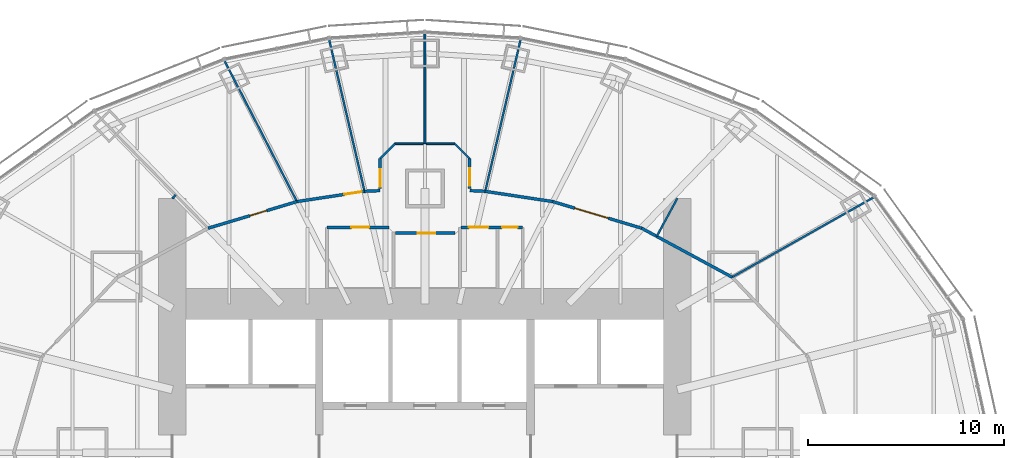
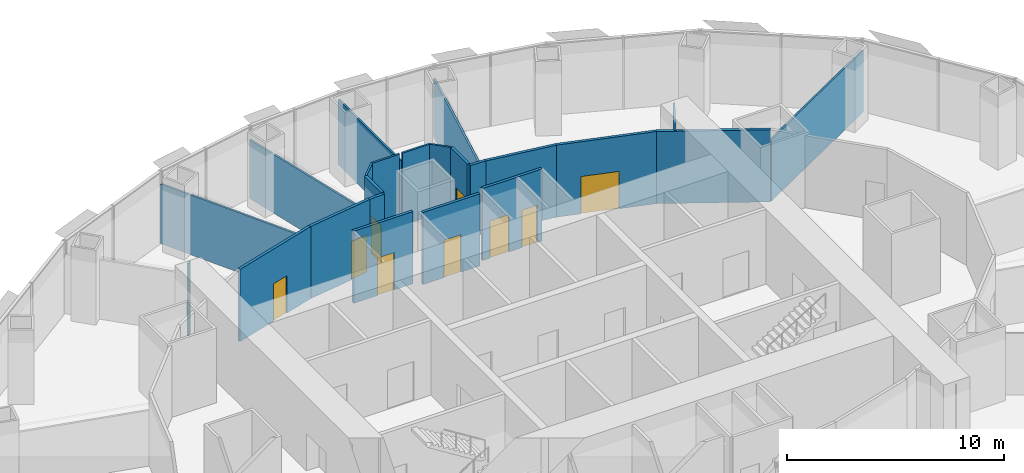
# One storey, part 13 of 18: 23 walls, 9 doors, 9 openings.
"""IFC4 building model written with IfcOpenShell, lengths in metres."""

from ifc_helpers import new_model, si_unit, direction, frame, frame_2d, origin, place, context, subcontext, project, spatial, rectangle, extrude, material, layer, layer_set, type_object, element, fill, save


model = new_model("IFC4")

# Units and contexts
model_context = context("Model", 3, precision=1e-05, world=origin(), true_north=direction((0.0, 1.0)))
body_context = subcontext(model_context, "Body", "Model", "MODEL_VIEW")
ifc_project = project(units=[si_unit("LENGTHUNIT", "METRE"), si_unit("AREAUNIT", "SQUARE_METRE"), si_unit("VOLUMEUNIT", "CUBIC_METRE"), si_unit("PLANEANGLEUNIT", "RADIAN"), si_unit("MASSUNIT", "GRAM", prefix="KILO")], contexts=[model_context])

# Site, building, storey
site_placement = place(None, origin())
site = spatial("IfcSite", under=ifc_project, at=site_placement, CompositionType="ELEMENT")
building_placement = place(site_placement, origin())
building = spatial("IfcBuilding", under=site, at=building_placement, Name="Lantaw Convention Tower", CompositionType="ELEMENT")
storey_placement = place(building_placement, frame((0.0, 0.0, 142.60009765625)))
storey = spatial("IfcBuildingStorey", under=building, at=storey_placement, Name="L33", CompositionType="ELEMENT", Elevation=142.60009765625)

# Wall
ifc_material_1 = material(Name="Gypsum board on steel studs, fire rated", Category="steel")
ifc_layer_1 = layer(ifc_material_1, 0.14990234375)
ifc_layer_set_1 = layer_set([ifc_layer_1], Name="Corridor wall 150 EI 60")
wall_type_1 = type_object("IfcWallType", Name="Corridor wall 150 EI 60", PredefinedType="PARTITIONING", material=ifc_layer_set_1)
wall_1_placement = place(storey_placement, frame((15.695556640625, 8.968994140625, 0.0), z_axis=(0.0, 0.0, 1.0), x_axis=(-0.879436285334, 0.476016617397, 0.0)))
element("IfcWall", 1, at=wall_1_placement, inside=storey, type_object=wall_type_1, Name="Corridor wall 150", PredefinedType="PARTITIONING", context=body_context, shape_type="SweptSolid", body=[
    extrude(rectangle(XDim=5.2529296875, YDim=0.14990234375, at=frame_2d((2.62646484375, 0.0))), origin(), (0.0, 0.0, 1.0), 4.0498046875),
])

# Wall, opening, door
wall_2_placement = place(storey_placement, frame((11.075927734375, 11.469482421875, 0.0), z_axis=(0.0, 0.0, 1.0), x_axis=(-0.957933992798, 0.286988615527, 0.0)))
wall_2 = element("IfcWall", 2, at=wall_2_placement, inside=storey, type_object=wall_type_1, Name="Corridor wall 150", PredefinedType="PARTITIONING", context=body_context, shape_type="SweptSolid", body=[
    extrude(rectangle(XDim=4.73828125, YDim=0.14990234375, at=frame_2d((2.369140625, 0.0))), origin(), (0.0, 0.0, 1.0), 4.0498046875),
])
opening_1_placement = place(wall_2_placement, frame((1.773681640625, 0.0, 0.0)))
opening_1 = element("IfcOpeningElement", 3, at=opening_1_placement, cuts=wall_2, Name="Opening L33.23", PredefinedType="OPENING", context=body_context, shape_type="SweptSolid", body=[
    extrude(rectangle(XDim=1.800048828125, YDim=2.10009765625, at=frame_2d((0.89990234375, 1.050048828125))), frame((0.0, 0.0849609375, 0.0), z_axis=(0.0, -1.0, 0.0), x_axis=(1.0, 0.0, 0.0)), (0.0, 0.0, 1.0), 0.169921875),
])
ifc_material_2 = material(Name="Steel, fire rated", Category="steel")
door_type_1 = type_object("IfcDoorType", Name="Office double door 1800 FD30", OperationType="DOUBLE_DOOR_DOUBLE_SWING", PredefinedType="DOOR", material=ifc_material_2)
door_1_placement = place(opening_1_placement, origin())
door_1 = element("IfcDoor", 4, at=door_1_placement, inside=storey, type_object=door_type_1, Name="Boardroom door", OperationType="DOUBLE_DOOR_DOUBLE_SWING", OverallHeight=2.10009765625, OverallWidth=1.800048828125, PredefinedType="DOOR", context=body_context, shape_type="SweptSolid", body=[
    extrude(rectangle(XDim=1.800048828125, YDim=2.10009765625, at=frame_2d((0.89990234375, 1.050048828125))), frame((0.0, 0.02490234375, 0.0), z_axis=(0.0, -1.0, 0.0), x_axis=(1.0, 0.0, 0.0)), (0.0, 0.0, 1.0), 0.050048828125),
])
fill(opening_1, door_1)

# Wall
wall_3_placement = place(storey_placement, frame((6.536865234375, 12.829345703125, 0.0), z_axis=(0.0, 0.0, 1.0), x_axis=(-0.988668719464, 0.150113833987, 0.0)))
element("IfcWall", 5, at=wall_3_placement, inside=storey, type_object=wall_type_1, Name="Corridor wall 150", PredefinedType="PARTITIONING", context=body_context, shape_type="SweptSolid", body=[
    extrude(rectangle(XDim=3.493408203125, YDim=0.14990234375, at=frame_2d((1.74658203125, 0.0))), origin(), (0.0, 0.0, 1.0), 4.0498046875),
])

# Wall, opening, door
wall_4_placement = place(storey_placement, frame((-3.0830078125, 13.353759765625, 0.0), z_axis=(0.0, 0.0, 1.0), x_axis=(-0.988668719464, -0.150113833987, 0.0)))
wall_4 = element("IfcWall", 6, at=wall_4_placement, inside=storey, type_object=wall_type_1, Name="Corridor wall 150", PredefinedType="PARTITIONING", context=body_context, shape_type="SweptSolid", body=[
    extrude(rectangle(XDim=3.493408203125, YDim=0.14990234375, at=frame_2d((1.74658203125, 0.0))), origin(), (0.0, 0.0, 1.0), 4.0498046875),
])
opening_2_placement = place(wall_4_placement, frame((0.14990234375, 0.0, 0.0)))
opening_2 = element("IfcOpeningElement", 7, at=opening_2_placement, cuts=wall_4, Name="Opening L33.26", PredefinedType="OPENING", context=body_context, shape_type="SweptSolid", body=[
    extrude(rectangle(XDim=0.89990234375, YDim=2.10009765625, at=frame_2d((0.449951171875, 1.050048828125))), frame((0.0, 0.0849609375, 0.0), z_axis=(0.0, -1.0, 0.0), x_axis=(1.0, 0.0, 0.0)), (0.0, 0.0, 1.0), 0.169921875),
])
door_type_2 = type_object("IfcDoorType", Name="Office door 900 FD30", OperationType="SINGLE_SWING_LEFT", PredefinedType="DOOR", material=ifc_material_2)
door_2_placement = place(opening_2_placement, origin())
door_2 = element("IfcDoor", 8, at=door_2_placement, inside=storey, type_object=door_type_2, Name="Private office door", OperationType="SINGLE_SWING_LEFT", OverallHeight=2.10009765625, OverallWidth=0.89990234375, PredefinedType="DOOR", context=body_context, shape_type="SweptSolid", body=[
    extrude(rectangle(XDim=0.89990234375, YDim=2.10009765625, at=frame_2d((0.449951171875, 1.050048828125))), frame((0.0, 0.02490234375, 0.0), z_axis=(0.0, -1.0, 0.0), x_axis=(1.0, 0.0, 0.0)), (0.0, 0.0, 1.0), 0.050048828125),
])
fill(opening_2, door_2)

wall_5_placement = place(storey_placement, frame((-6.536865234375, 12.829345703125, 0.0), z_axis=(0.0, 0.0, 1.0), x_axis=(-0.957933992798, -0.286988615527, 0.0)))
wall_5 = element("IfcWall", 9, at=wall_5_placement, inside=storey, type_object=wall_type_1, Name="Corridor wall 150", PredefinedType="PARTITIONING", context=body_context, shape_type="SweptSolid", body=[
    extrude(rectangle(XDim=4.73828125, YDim=0.14990234375, at=frame_2d((2.369140625, 0.0))), origin(), (0.0, 0.0, 1.0), 4.0498046875),
])
opening_3_placement = place(wall_5_placement, frame((1.60693359375, 0.0, 0.0)))
opening_3 = element("IfcOpeningElement", 10, at=opening_3_placement, cuts=wall_5, Name="Opening L33.27", PredefinedType="OPENING", context=body_context, shape_type="SweptSolid", body=[
    extrude(rectangle(XDim=0.89990234375, YDim=2.10009765625, at=frame_2d((0.449951171875, 1.050048828125))), frame((0.0, 0.0849609375, 0.0), z_axis=(0.0, -1.0, 0.0), x_axis=(1.0, 0.0, 0.0)), (0.0, 0.0, 1.0), 0.169921875),
])
door_3_placement = place(opening_3_placement, origin())
door_3 = element("IfcDoor", 11, at=door_3_placement, inside=storey, type_object=door_type_2, Name="Private office door", OperationType="SINGLE_SWING_LEFT", OverallHeight=2.10009765625, OverallWidth=0.89990234375, PredefinedType="DOOR", context=body_context, shape_type="SweptSolid", body=[
    extrude(rectangle(XDim=0.89990234375, YDim=2.10009765625, at=frame_2d((0.449951171875, 1.050048828125))), frame((0.0, 0.02490234375, 0.0), z_axis=(0.0, -1.0, 0.0), x_axis=(1.0, 0.0, 0.0)), (0.0, 0.0, 1.0), 0.050048828125),
])
fill(opening_3, door_3)

# Walls
for number, where, z_axis, x_axis, name in (
    (12, (3.0830078125, 13.353759765625, 0.0), (0.0, 0.0, 1.0), (-0.998878614804, 0.04734461836, 0.0), "Corridor wall 150"),
    (13, (-2.294921875, 13.39111328125, 0.0), (0.0, 0.0, 1.0), (-0.998878614804, -0.04734461836, 0.0), "Corridor wall 150"),
):
    element("IfcWall", number, at=place(storey_placement, frame(where, z_axis=z_axis, x_axis=x_axis)), inside=storey, type_object=wall_type_1, Name=name, PredefinedType="PARTITIONING", context=body_context, shape_type="SweptSolid", body=[
        extrude(rectangle(XDim=0.7890625, YDim=0.14990234375, at=frame_2d((0.39453125, 0.0))), origin(), (0.0, 0.0, 1.0), 4.0498046875),
    ])

# Wall, opening, door
wall_6_placement = place(storey_placement, frame((2.284912109375, 15.0322265625, 0.0), z_axis=(0.0, 0.0, 1.0), x_axis=(0.0, -1.0, 0.0)))
wall_6 = element("IfcWall", 14, at=wall_6_placement, inside=storey, type_object=wall_type_1, Name="Corridor wall 150", PredefinedType="PARTITIONING", context=body_context, shape_type="SweptSolid", body=[
    extrude(rectangle(XDim=1.53955078125, YDim=0.14990234375, at=frame_2d((0.769775390625, 0.0))), origin(), (0.0, 0.0, 1.0), 4.0498046875),
])
opening_4_placement = place(wall_6_placement, frame((0.5, 0.0, 0.0)))
opening_4 = element("IfcOpeningElement", 15, at=opening_4_placement, cuts=wall_6, Name="Opening L33.24", PredefinedType="OPENING", context=body_context, shape_type="SweptSolid", body=[
    extrude(rectangle(XDim=0.89990234375, YDim=2.10009765625, at=frame_2d((0.449951171875, 1.050048828125))), frame((0.0, 0.0849609375, 0.0), z_axis=(0.0, -1.0, 0.0), x_axis=(1.0, 0.0, 0.0)), (0.0, 0.0, 1.0), 0.169921875),
])
door_4_placement = place(opening_4_placement, origin())
door_4 = element("IfcDoor", 16, at=door_4_placement, inside=storey, type_object=door_type_2, Name="Private office door", OperationType="SINGLE_SWING_LEFT", OverallHeight=2.10009765625, OverallWidth=0.89990234375, PredefinedType="DOOR", context=body_context, shape_type="SweptSolid", body=[
    extrude(rectangle(XDim=0.89990234375, YDim=2.10009765625, at=frame_2d((0.449951171875, 1.050048828125))), frame((0.0, 0.02490234375, 0.0), z_axis=(0.0, -1.0, 0.0), x_axis=(1.0, 0.0, 0.0)), (0.0, 0.0, 1.0), 0.050048828125),
])
fill(opening_4, door_4)

wall_7_placement = place(storey_placement, frame((-2.284912109375, 13.49267578125, 0.0), z_axis=(0.0, 0.0, 1.0), x_axis=(0.0, 1.0, 0.0)))
wall_7 = element("IfcWall", 17, at=wall_7_placement, inside=storey, type_object=wall_type_1, Name="Corridor wall 150", PredefinedType="PARTITIONING", context=body_context, shape_type="SweptSolid", body=[
    extrude(rectangle(XDim=1.53955078125, YDim=0.14990234375, at=frame_2d((0.769775390625, 0.0))), origin(), (0.0, 0.0, 1.0), 4.0498046875),
])
opening_5_placement = place(wall_7_placement, frame((0.10009765625, 0.0, 0.0)))
opening_5 = element("IfcOpeningElement", 18, at=opening_5_placement, cuts=wall_7, Name="Opening L33.25", PredefinedType="OPENING", context=body_context, shape_type="SweptSolid", body=[
    extrude(rectangle(XDim=0.89990234375, YDim=2.10009765625, at=frame_2d((0.449951171875, 1.050048828125))), frame((0.0, 0.0849609375, 0.0), z_axis=(0.0, -1.0, 0.0), x_axis=(1.0, 0.0, 0.0)), (0.0, 0.0, 1.0), 0.169921875),
])
door_5_placement = place(opening_5_placement, origin())
door_5 = element("IfcDoor", 19, at=door_5_placement, inside=storey, type_object=door_type_2, Name="Private office door", OperationType="SINGLE_SWING_LEFT", OverallHeight=2.10009765625, OverallWidth=0.89990234375, PredefinedType="DOOR", context=body_context, shape_type="SweptSolid", body=[
    extrude(rectangle(XDim=0.89990234375, YDim=2.10009765625, at=frame_2d((0.449951171875, 1.050048828125))), frame((0.0, 0.02490234375, 0.0), z_axis=(0.0, -1.0, 0.0), x_axis=(1.0, 0.0, 0.0)), (0.0, 0.0, 1.0), 0.050048828125),
])
fill(opening_5, door_5)

# Walls
ifc_material_3 = material(Name="Gypsum board on steel studs, acoustic", Category="steel")
ifc_layer_2 = layer(ifc_material_3, 0.10009765625)
ifc_layer_set_2 = layer_set([ifc_layer_2], Name="Office partition 100")
wall_type_2 = type_object("IfcWallType", Name="Office partition 100", PredefinedType="PARTITIONING", material=ifc_layer_set_2)
wall_8_placement = place(storey_placement, frame((22.94921875, 13.058837890625, 0.0), z_axis=(0.0, 0.0, 1.0), x_axis=(-0.871079462611, -0.491142107558, 0.0)))
element("IfcWall", 20, at=wall_8_placement, inside=storey, type_object=wall_type_2, Name="Office partition 100", PredefinedType="PARTITIONING", context=body_context, shape_type="SweptSolid", body=[
    extrude(rectangle(XDim=8.3271484375, YDim=0.10009765625, at=frame_2d((4.16357421875, 0.0))), origin(), (0.0, 0.0, 1.0), 3.450439453125),
])
for number, where, z_axis, x_axis, name in (
    (21, (4.89697265625, 21.134765625, 0.0), (0.0, 0.0, 1.0), (-0.227039313577, -0.973885593943, 0.0), "Office partition 100"),
    (22, (-4.89697265625, 21.134765625, 0.0), (0.0, 0.0, 1.0), (0.227039313577, -0.973885593943, 0.0), "Office partition 100"),
):
    element("IfcWall", number, at=place(storey_placement, frame(where, z_axis=z_axis, x_axis=x_axis)), inside=storey, type_object=wall_type_2, Name=name, PredefinedType="PARTITIONING", context=body_context, shape_type="SweptSolid", body=[
        extrude(rectangle(XDim=7.98974609375, YDim=0.10009765625, at=frame_2d((3.994873046875, 0.0))), origin(), (0.0, 0.0, 1.0), 3.29296875),
    ])
wall_9_placement = place(storey_placement, frame((-10.253173828125, 20.0517578125, 0.0), z_axis=(0.0, 0.0, 1.0), x_axis=(0.457535449567, -0.889191381194, 0.0)))
element("IfcWall", 23, at=wall_9_placement, inside=storey, type_object=wall_type_2, Name="Office partition 100", PredefinedType="PARTITIONING", context=body_context, shape_type="SweptSolid", body=[
    extrude(rectangle(XDim=8.12255859375, YDim=0.10009765625, at=frame_2d((4.061279296875, 0.0))), origin(), (0.0, 0.0, 1.0), 3.348876953125),
])
wall_10_placement = place(storey_placement, frame((12.89990234375, 13.0, 0.0), z_axis=(0.0, 0.0, 1.0), x_axis=(-0.475998959765, -0.879445842734, 0.0)))
element("IfcWall", 24, at=wall_10_placement, inside=storey, type_object=wall_type_2, Name="Office partition 100", PredefinedType="PARTITIONING", context=body_context, shape_type="SweptSolid", body=[
    extrude(rectangle(XDim=2.214111328125, YDim=0.10009765625, at=frame_2d((1.10693359375, 0.0))), origin(), (0.0, 0.0, 1.0), 4.0498046875),
])
wall_11_placement = place(storey_placement, frame((-12.89990234375, 13.0, 0.0), z_axis=(0.0, 0.0, 1.0), x_axis=(0.714845300066, 0.699282630253, 0.0)))
element("IfcWall", 25, at=wall_11_placement, inside=storey, type_object=wall_type_2, Name="Office partition 100", PredefinedType="PARTITIONING", context=body_context, shape_type="SweptSolid", body=[
    extrude(rectangle(XDim=0.2353515625, YDim=0.10009765625, at=frame_2d((0.11767578125, 0.0))), origin(), (0.0, 0.0, 1.0), 4.0498046875),
])
wall_12_placement = place(storey_placement, frame((0.0, 21.44482421875, 0.0), z_axis=(0.0, 0.0, 1.0), x_axis=(0.0, -1.0, 0.0)))
element("IfcWall", 26, at=wall_12_placement, inside=storey, type_object=wall_type_2, Name="Office partition 100", PredefinedType="PARTITIONING", context=body_context, shape_type="SweptSolid", body=[
    extrude(rectangle(XDim=5.64990234375, YDim=0.10009765625, at=frame_2d((2.824951171875, 0.0))), origin(), (0.0, 0.0, 1.0), 3.64599609375),
])
wall_13_placement = place(storey_placement, frame((0.078125, 15.784912109375, 0.0), z_axis=(0.0, 0.0, 1.0), x_axis=(1.0, 0.0, 0.0)))
element("IfcWall", 27, at=wall_13_placement, inside=storey, type_object=wall_type_2, Name="Office partition 100", PredefinedType="PARTITIONING", context=body_context, shape_type="SweptSolid", body=[
    extrude(rectangle(XDim=1.4541015625, YDim=0.10009765625, at=frame_2d((0.72705078125, 0.0))), origin(), (0.0, 0.0, 1.0), 4.0498046875),
])
for number, where, z_axis, x_axis, name in (
    (28, (1.5322265625, 15.784912109375, 0.0), (0.0, 0.0, 1.0), (0.707106781187, -0.707106781187, 0.0), "Office partition 100"),
    (29, (-2.284912109375, 15.0322265625, 0.0), (0.0, 0.0, 1.0), (0.707106781187, 0.707106781187, 0.0), "Office partition 100"),
):
    element("IfcWall", number, at=place(storey_placement, frame(where, z_axis=z_axis, x_axis=x_axis)), inside=storey, type_object=wall_type_2, Name=name, PredefinedType="PARTITIONING", context=body_context, shape_type="SweptSolid", body=[
        extrude(rectangle(XDim=1.064453125, YDim=0.10009765625, at=frame_2d((0.5322265625, 0.0))), origin(), (0.0, 0.0, 1.0), 4.0498046875),
    ])
wall_14_placement = place(storey_placement, frame((-1.5322265625, 15.784912109375, 0.0), z_axis=(0.0, 0.0, 1.0), x_axis=(1.0, 0.0, 0.0)))
element("IfcWall", 30, at=wall_14_placement, inside=storey, type_object=wall_type_2, Name="Office partition 100", PredefinedType="PARTITIONING", context=body_context, shape_type="SweptSolid", body=[
    extrude(rectangle(XDim=1.4541015625, YDim=0.10009765625, at=frame_2d((0.72705078125, 0.0))), origin(), (0.0, 0.0, 1.0), 4.0498046875),
])

# Wall, opening, door
ifc_material_4 = material(Name="Concrete blockwork", Category="masonry")
ifc_layer_3 = layer(ifc_material_4, 0.14990234375)
ifc_layer_set_3 = layer_set([ifc_layer_3], Name="WC wall 150")
wall_type_3 = type_object("IfcWallType", Name="WC wall 150", PredefinedType="SOLIDWALL", material=ifc_layer_set_3)
wall_15_placement = place(storey_placement, frame((-5.0, 11.511962890625, 0.0), z_axis=(0.0, 0.0, 1.0), x_axis=(1.0, 0.0, 0.0)))
wall_15 = element("IfcWall", 31, at=wall_15_placement, inside=storey, type_object=wall_type_3, Name="WC wall 150", PredefinedType="SOLIDWALL", context=body_context, shape_type="SweptSolid", body=[
    extrude(rectangle(XDim=3.156494140625, YDim=0.14990234375, at=frame_2d((1.578125, 0.0))), origin(), (0.0, 0.0, 1.0), 4.0498046875),
])
opening_6_placement = place(wall_15_placement, frame((1.25, 0.0, 0.0)))
opening_6 = element("IfcOpeningElement", 32, at=opening_6_placement, cuts=wall_15, Name="Opening L33.14", PredefinedType="OPENING", context=body_context, shape_type="SweptSolid", body=[
    extrude(rectangle(XDim=0.89990234375, YDim=2.10009765625, at=frame_2d((0.449951171875, 1.050048828125))), frame((0.0, 0.0849609375, 0.0), z_axis=(0.0, -1.0, 0.0), x_axis=(1.0, 0.0, 0.0)), (0.0, 0.0, 1.0), 0.169921875),
])
ifc_material_5 = material(Name="Timber", Category="wood")
door_type_3 = type_object("IfcDoorType", Name="WC door 900", OperationType="SINGLE_SWING_LEFT", PredefinedType="DOOR", material=ifc_material_5)
door_6_placement = place(opening_6_placement, origin())
door_6 = element("IfcDoor", 33, at=door_6_placement, inside=storey, type_object=door_type_3, Name="Male WC door", OperationType="SINGLE_SWING_LEFT", OverallHeight=2.10009765625, OverallWidth=0.89990234375, PredefinedType="DOOR", context=body_context, shape_type="SweptSolid", body=[
    extrude(rectangle(XDim=0.89990234375, YDim=2.10009765625, at=frame_2d((0.449951171875, 1.050048828125))), frame((0.0, 0.02490234375, 0.0), z_axis=(0.0, -1.0, 0.0), x_axis=(1.0, 0.0, 0.0)), (0.0, 0.0, 1.0), 0.050048828125),
])
fill(opening_6, door_6)

# Wall, openings, doors
wall_16_placement = place(storey_placement, frame((1.843505859375, 11.511962890625, 0.0), z_axis=(0.0, 0.0, 1.0), x_axis=(1.0, 0.0, 0.0)))
wall_16 = element("IfcWall", 34, at=wall_16_placement, inside=storey, type_object=wall_type_3, Name="WC wall 150", PredefinedType="SOLIDWALL", context=body_context, shape_type="SweptSolid", body=[
    extrude(rectangle(XDim=3.156494140625, YDim=0.14990234375, at=frame_2d((1.578125, 0.0))), origin(), (0.0, 0.0, 1.0), 4.0498046875),
])
opening_7_placement = place(wall_16_placement, frame((0.39990234375, 0.0, 0.0)))
opening_7 = element("IfcOpeningElement", 35, at=opening_7_placement, cuts=wall_16, Name="Opening L33.16", PredefinedType="OPENING", context=body_context, shape_type="SweptSolid", body=[
    extrude(rectangle(XDim=1.0, YDim=2.10009765625, at=frame_2d((0.5, 1.050048828125))), frame((0.0, 0.0849609375, 0.0), z_axis=(0.0, -1.0, 0.0), x_axis=(1.0, 0.0, 0.0)), (0.0, 0.0, 1.0), 0.169921875),
])
opening_8_placement = place(wall_16_placement, frame((2.10009765625, 0.0, 0.0)))
opening_8 = element("IfcOpeningElement", 36, at=opening_8_placement, cuts=wall_16, Name="Opening L33.17", PredefinedType="OPENING", context=body_context, shape_type="SweptSolid", body=[
    extrude(rectangle(XDim=0.800048828125, YDim=2.10009765625, at=frame_2d((0.39990234375, 1.050048828125))), frame((0.0, 0.0849609375, 0.0), z_axis=(0.0, -1.0, 0.0), x_axis=(1.0, 0.0, 0.0)), (0.0, 0.0, 1.0), 0.169921875),
])
door_type_4 = type_object("IfcDoorType", Name="Accessible WC door 1000", OperationType="SINGLE_SWING_LEFT", PredefinedType="DOOR", material=ifc_material_5)
door_7_placement = place(opening_7_placement, origin())
door_7 = element("IfcDoor", 37, at=door_7_placement, inside=storey, type_object=door_type_4, Name="Accessible WC door", OperationType="SINGLE_SWING_LEFT", OverallHeight=2.10009765625, OverallWidth=1.0, PredefinedType="DOOR", context=body_context, shape_type="SweptSolid", body=[
    extrude(rectangle(XDim=1.0, YDim=2.10009765625, at=frame_2d((0.5, 1.050048828125))), frame((0.0, 0.02490234375, 0.0), z_axis=(0.0, -1.0, 0.0), x_axis=(1.0, 0.0, 0.0)), (0.0, 0.0, 1.0), 0.050048828125),
])
fill(opening_7, door_7)
door_type_5 = type_object("IfcDoorType", Name="WC door 800", OperationType="SINGLE_SWING_LEFT", PredefinedType="DOOR", material=ifc_material_5)
door_8_placement = place(opening_8_placement, origin())
door_8 = element("IfcDoor", 38, at=door_8_placement, inside=storey, type_object=door_type_5, Name="Cleaner's store door", OperationType="SINGLE_SWING_LEFT", OverallHeight=2.10009765625, OverallWidth=0.800048828125, PredefinedType="DOOR", context=body_context, shape_type="SweptSolid", body=[
    extrude(rectangle(XDim=0.800048828125, YDim=2.10009765625, at=frame_2d((0.39990234375, 1.050048828125))), frame((0.0, 0.02490234375, 0.0), z_axis=(0.0, -1.0, 0.0), x_axis=(1.0, 0.0, 0.0)), (0.0, 0.0, 1.0), 0.050048828125),
])
fill(opening_8, door_8)

# Wall, opening, door
wall_17_placement = place(storey_placement, frame((1.5322265625, 11.215087890625, 0.0), z_axis=(0.0, 0.0, 1.0), x_axis=(-1.0, 0.0, 0.0)))
wall_17 = element("IfcWall", 39, at=wall_17_placement, inside=storey, type_object=wall_type_3, Name="WC wall 150", PredefinedType="SOLIDWALL", context=body_context, shape_type="SweptSolid", body=[
    extrude(rectangle(XDim=3.02734375, YDim=0.14990234375, at=frame_2d((1.513671875, 0.0))), origin(), (0.0, 0.0, 1.0), 4.0498046875),
])
opening_9_placement = place(wall_17_placement, frame((1.0, 0.0, 0.0)))
opening_9 = element("IfcOpeningElement", 40, at=opening_9_placement, cuts=wall_17, Name="Opening L33.15", PredefinedType="OPENING", context=body_context, shape_type="SweptSolid", body=[
    extrude(rectangle(XDim=0.89990234375, YDim=2.10009765625, at=frame_2d((0.449951171875, 1.050048828125))), frame((0.0, 0.0849609375, 0.0), z_axis=(0.0, -1.0, 0.0), x_axis=(1.0, 0.0, 0.0)), (0.0, 0.0, 1.0), 0.169921875),
])
door_9_placement = place(opening_9_placement, origin())
door_9 = element("IfcDoor", 41, at=door_9_placement, inside=storey, type_object=door_type_3, Name="Female WC door", OperationType="SINGLE_SWING_LEFT", OverallHeight=2.10009765625, OverallWidth=0.89990234375, PredefinedType="DOOR", context=body_context, shape_type="SweptSolid", body=[
    extrude(rectangle(XDim=0.89990234375, YDim=2.10009765625, at=frame_2d((0.449951171875, 1.050048828125))), frame((0.0, 0.02490234375, 0.0), z_axis=(0.0, -1.0, 0.0), x_axis=(1.0, 0.0, 0.0)), (0.0, 0.0, 1.0), 0.050048828125),
])
fill(opening_9, door_9)

save(model, "model.ifc")
